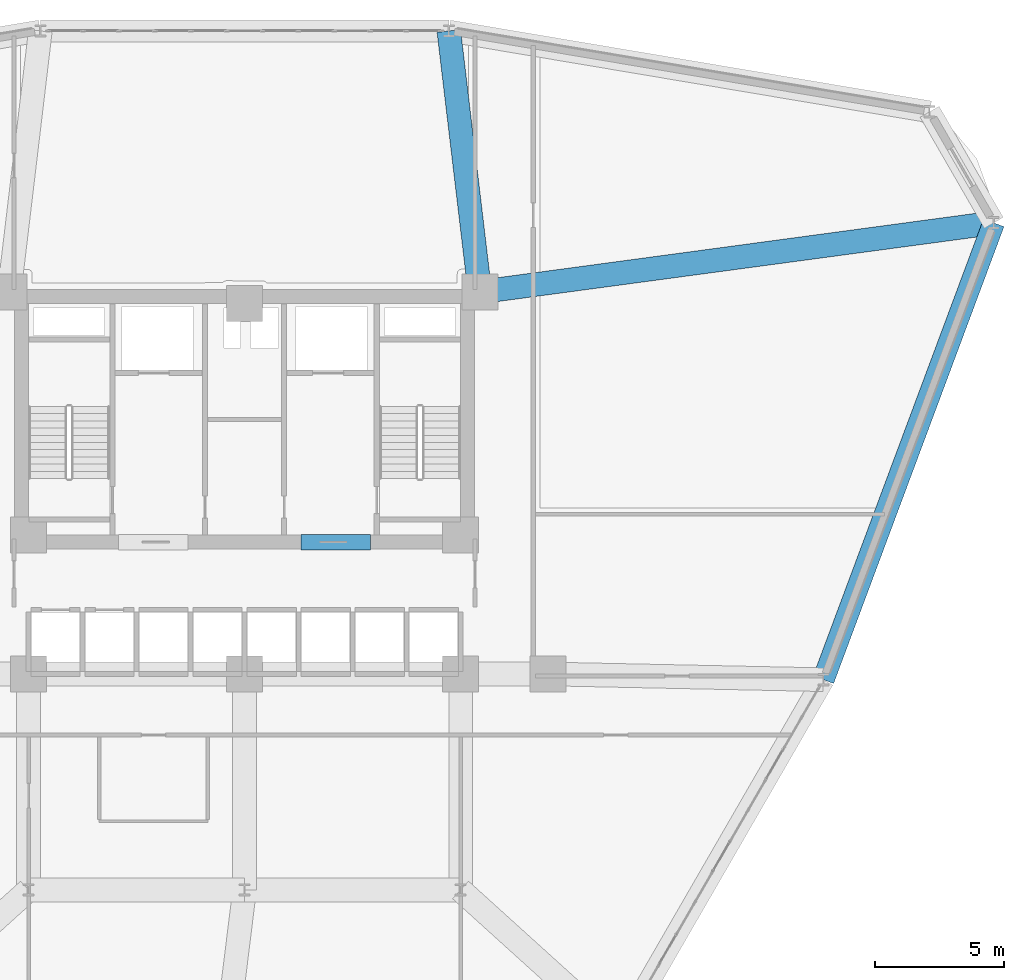
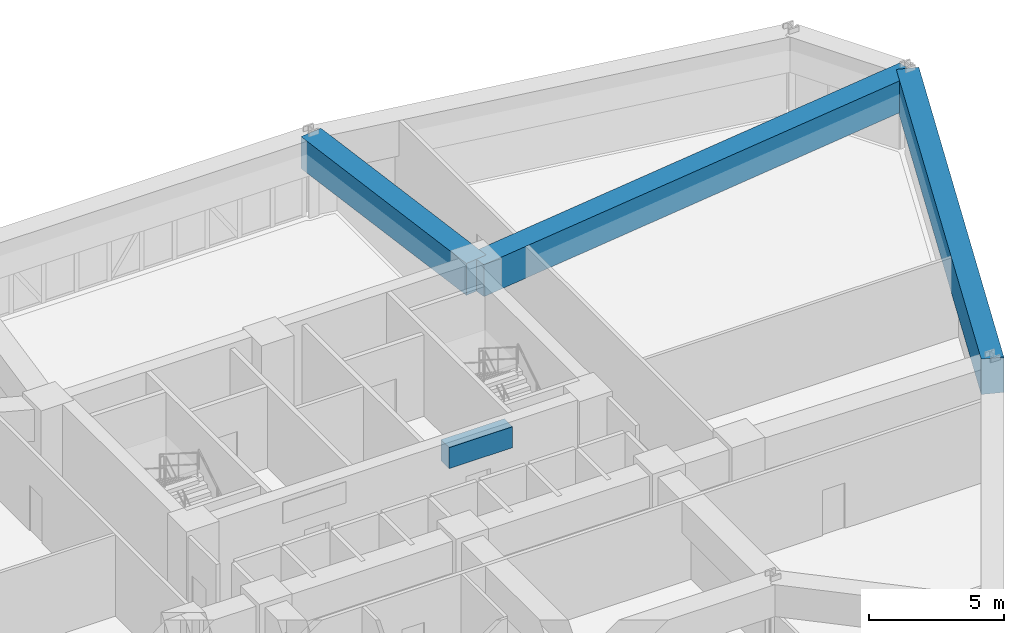
# One storey, part 12 of 20: 4 beams.
"""IFC4 building model written with IfcOpenShell, lengths in metres."""

from ifc_helpers import new_model, si_unit, derived_unit, direction, frame, origin, origin_2d, place, context, subcontext, project, spatial, rectangle, extrude, source, transform, mapped, material, material_profile, profile_set, type_object, element, save


model = new_model("IFC4")

# Units and contexts
model_context = context("Model", 3, precision=1e-05, world=origin(), true_north=direction((0.0, 1.0)))
body_context = subcontext(model_context, "Body", "Model", "MODEL_VIEW")
ifc_project = project(units=[si_unit("LENGTHUNIT", "METRE"), si_unit("AREAUNIT", "SQUARE_METRE"), si_unit("VOLUMEUNIT", "CUBIC_METRE"), si_unit("PLANEANGLEUNIT", "RADIAN"), si_unit("MASSUNIT", "GRAM", prefix="KILO"), derived_unit("THERMALTRANSMITTANCEUNIT", [(si_unit("POWERUNIT", "WATT"), 1), (si_unit("LENGTHUNIT", "METRE"), -2), (si_unit("THERMODYNAMICTEMPERATUREUNIT", "KELVIN"), -1)])], contexts=[model_context])

# Site, building, storey
site_placement = place(None, origin())
site = spatial("IfcSite", under=ifc_project, at=site_placement, CompositionType="ELEMENT")
building_placement = place(site_placement, origin())
building = spatial("IfcBuilding", under=site, at=building_placement, Name="Korsvarv Bourse and Concert Hall", CompositionType="ELEMENT")
storey_placement = place(building_placement, frame((0.0, 0.0, 35.699951171875)))
storey = spatial("IfcBuildingStorey", under=building, at=storey_placement, Name="L08", CompositionType="ELEMENT", Elevation=35.699951171875)

# Beams
ifc_material_1 = material(Name="Concrete C55/67", Category="concrete")
ifc_material_profile_1 = material_profile(ifc_material_1, rectangle(XDim=0.60009765625, YDim=0.949951171875, at=origin_2d()), Name="RC-BM 600x950")
ifc_profile_set_1 = profile_set([ifc_material_profile_1], Name="Concrete C55/67")
beam_type_1 = type_object("IfcBeamType", Name="BM-CPL", PredefinedType="LINTEL", material=ifc_profile_set_1)
shared_shape_1 = source(origin(), body_context, "Body", "SweptSolid", [
    extrude(rectangle(XDim=0.60009765625, YDim=0.949951171875, at=origin_2d()), origin(), (0.0, 0.0, 1.0), 2.699951171875),
])
beam_1_placement = place(storey_placement, frame((38.199951171875, 37.52490234375, 3.205078125), z_axis=(1.0, 0.0, 0.0), x_axis=(0.0, 1.0, 0.0)))
element("IfcBeam", 1, at=beam_1_placement, inside=storey, type_object=beam_type_1, Name="L08 Core Coupling Beam East", PredefinedType="LINTEL", context=body_context, shape_type="MappedRepresentation", body=[
    mapped(shared_shape_1, transform((0.0, 0.0, 0.0), scale=1.0)),
])
ifc_material_profile_2 = material_profile(ifc_material_1, rectangle(XDim=0.85009765625, YDim=1.60009765625, at=origin_2d()), Name="RC-BM 850x1600")
ifc_profile_set_2 = profile_set([ifc_material_profile_2], Name="Concrete C55/67")
beam_type_2 = type_object("IfcBeamType", Name="BM-TR1B", PredefinedType="BEAM", material=ifc_profile_set_2)
shared_shape_2 = source(origin(), body_context, "Body", "SweptSolid", [
    extrude(rectangle(XDim=0.85009765625, YDim=1.60009765625, at=origin_2d()), origin(), (0.0, 0.0, 1.0), 18.95849609375),
])
beam_2_placement = place(storey_placement, frame((58.5048828125, 32.176513671875, 2.880126953125), z_axis=(0.349449133057, 0.936955336932, 0.0), x_axis=(-0.936955336932, 0.349449133057, 0.0)))
element("IfcBeam", 2, at=beam_2_placement, inside=storey, type_object=beam_type_2, Name="L08 beam B-TR2", PredefinedType="BEAM", context=body_context, shape_type="MappedRepresentation", body=[
    mapped(shared_shape_2, transform((0.0, 0.0, 0.0), scale=1.0)),
])
ifc_material_2 = material(Name="Concrete C50/60", Category="concrete")
ifc_material_profile_3 = material_profile(ifc_material_2, rectangle(XDim=0.919921875, YDim=1.43994140625, at=origin_2d()), Name="RC-BM 920x1440")
ifc_profile_set_3 = profile_set([ifc_material_profile_3], Name="Concrete C50/60")
beam_type_3 = type_object("IfcBeamType", Name="BM-TR-144", PredefinedType="BEAM", material=ifc_profile_set_3)
shared_shape_3 = source(origin(), body_context, "Body", "SweptSolid", [
    extrude(rectangle(XDim=0.919921875, YDim=1.43994140625, at=origin_2d()), origin(), (0.0, 0.0, 1.0), 20.16015625),
])
beam_3_placement = place(storey_placement, frame((65.1298828125, 49.939697265625, 2.9599609375), z_axis=(-0.99106010736, -0.13341612946, 0.0), x_axis=(0.13341612946, -0.99106010736, 0.0)))
element("IfcBeam", 3, at=beam_3_placement, inside=storey, type_object=beam_type_3, Name="L08 beam B-TR4", PredefinedType="BEAM", context=body_context, shape_type="MappedRepresentation", body=[
    mapped(shared_shape_3, transform((0.0, 0.0, 0.0), scale=1.0)),
])
shared_shape_4 = source(origin(), body_context, "Body", "SweptSolid", [
    extrude(rectangle(XDim=0.919921875, YDim=1.43994140625, at=origin_2d()), origin(), (0.0, 0.0, 1.0), 10.223388671875),
])
beam_4_placement = place(storey_placement, frame((43.941162109375, 57.401611328125, 2.9599609375), z_axis=(0.118233633582, -0.992985804476, 0.0), x_axis=(0.992985804476, 0.118233633582, 0.0)))
element("IfcBeam", 4, at=beam_4_placement, inside=storey, type_object=beam_type_3, Name="L08 beam B-TR4", PredefinedType="BEAM", context=body_context, shape_type="MappedRepresentation", body=[
    mapped(shared_shape_4, transform((0.0, 0.0, 0.0), scale=1.0)),
])

save(model, "model.ifc")
